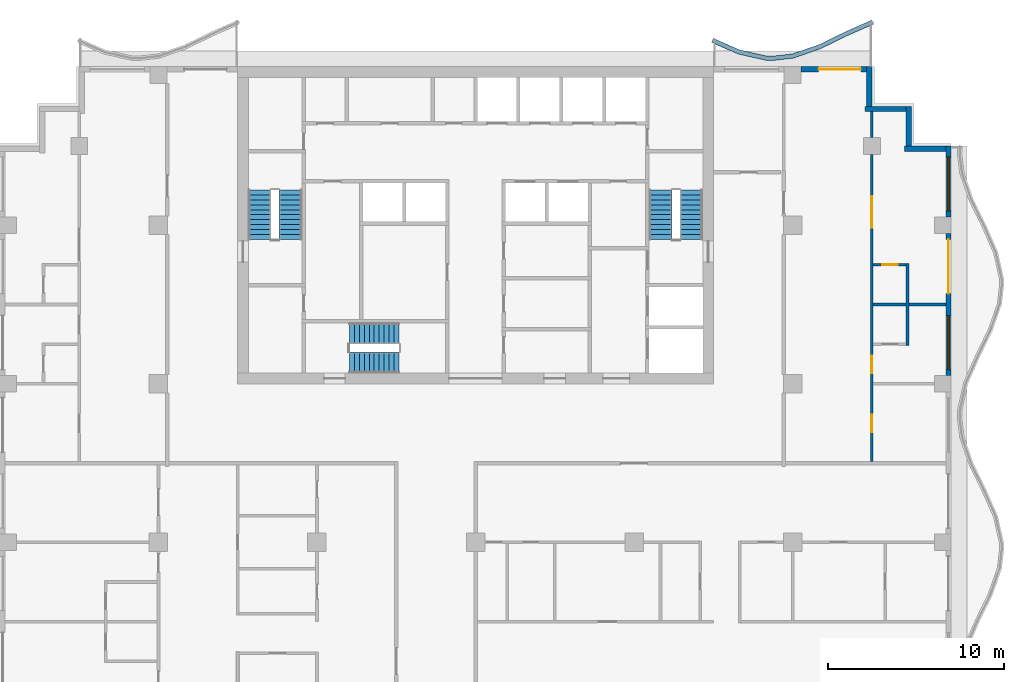
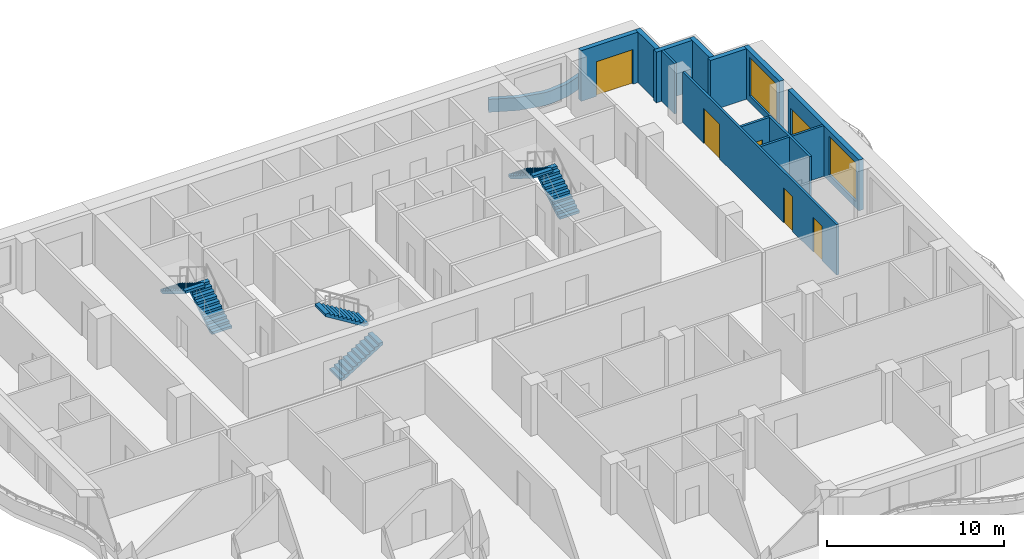
# One storey, part 7 of 11: 14 walls, 6 doors, 6 stair flights, 2 windows, 8 openings, 3 elements without a shape of their own.
"""IFC4 building model written with IfcOpenShell, lengths in metres."""

from ifc_helpers import new_model, si_unit, direction, frame, frame_2d, origin, place, context, subcontext, project, spatial, polyline, rectangle, outline, extrude, material, layer, layer_set, type_object, element, fill, aggregate, save


model = new_model("IFC4")

# Units and contexts
model_context = context("Model", 3, precision=1e-05, world=origin(), true_north=direction((0.0, 1.0)))
body_context = subcontext(model_context, "Body", "Model", "MODEL_VIEW")
ifc_project = project(units=[si_unit("LENGTHUNIT", "METRE"), si_unit("AREAUNIT", "SQUARE_METRE"), si_unit("VOLUMEUNIT", "CUBIC_METRE"), si_unit("PLANEANGLEUNIT", "RADIAN"), si_unit("MASSUNIT", "GRAM", prefix="KILO")], contexts=[model_context])

# Site, building, storey
site_placement = place(None, origin())
site = spatial("IfcSite", under=ifc_project, at=site_placement, CompositionType="ELEMENT")
building_placement = place(site_placement, origin())
building = spatial("IfcBuilding", under=site, at=building_placement, Name="Orbiselva Terraces", CompositionType="ELEMENT")
storey_placement = place(building_placement, frame((0.0, 0.0, 222.4)))
storey = spatial("IfcBuildingStorey", under=building, at=storey_placement, Name="L56", CompositionType="ELEMENT", Elevation=222.4)

# Wall
ifc_material_1 = material(Name="Concrete C40/50", Category="concrete")
ifc_layer_1 = layer(ifc_material_1, 0.25)
ifc_layer_set_1 = layer_set([ifc_layer_1], Name="Concrete C40/50")
wall_type_1 = type_object("IfcWallType", Name="ENV-PLANTER-250x900", PredefinedType="USERDEFINED", material=ifc_layer_set_1)
wall_1_placement = place(storey_placement, origin())
element("IfcWall", 1, at=wall_1_placement, inside=storey, type_object=wall_type_1, Name="Balcony planter L56 NE", ObjectType="PLANTER", PredefinedType="USERDEFINED", context=body_context, shape_type="SweptSolid", body=[
    extrude(outline(polyline([(22.5, 25.148528), (21.0, 24.487721), (19.5, 23.755211), (18.0, 23.230792), (16.875, 23.1), (16.5, 23.114774), (15.0, 23.451472), (13.5, 24.112279), (13.399212, 23.883496), (14.921492, 23.212874), (16.467435, 22.865863), (16.884572, 22.849429), (18.056371, 22.985662), (19.59644, 23.524089), (21.105286, 24.260919), (22.600788, 24.919745), (22.5, 25.148528)])), origin(), (0.0, 0.0, 1.0), 0.9),
])

# Wall, openings, door, window
ifc_material_2 = material(Name="Terracotta cladding on masonry backing", Category="masonry")
ifc_layer_2 = layer(ifc_material_2, 0.3)
ifc_layer_set_2 = layer_set([ifc_layer_2], Name="Terracotta cladding on masonry backing")
wall_type_2 = type_object("IfcWallType", Name="ENV-WALL-TERRACOTTA-300", PredefinedType="SOLIDWALL", material=ifc_layer_set_2)
wall_2_placement = place(storey_placement, frame((26.85, 13.025, 0.0), z_axis=(0.0, 0.0, 1.0), x_axis=(0.0, -1.0, 0.0)))
wall_2 = element("IfcWall", 2, at=wall_2_placement, inside=storey, type_object=wall_type_2, Name="Facade wall L56 E", PredefinedType="SOLIDWALL", context=body_context, shape_type="SweptSolid", body=[
    extrude(rectangle(XDim=8.05, YDim=0.3, at=frame_2d((4.025, 0.0))), origin(), (0.0, 0.0, 1.0), 3.5),
])
opening_1_placement = place(wall_2_placement, frame((4.65, 0.0, 0.45)))
opening_1 = element("IfcOpeningElement", 3, at=opening_1_placement, cuts=wall_2, Name="Opening WN15", PredefinedType="OPENING", context=body_context, shape_type="SweptSolid", body=[
    extrude(rectangle(XDim=3.075, YDim=2.65, at=frame_2d((1.5375, 1.325))), frame((0.0, 0.16, 0.0), z_axis=(0.0, -1.0, 0.0), x_axis=(1.0, 0.0, 0.0)), (0.0, 0.0, 1.0), 0.32),
])
opening_2_placement = place(wall_2_placement, frame((0.325, 0.0, 0.0)))
opening_2 = element("IfcOpeningElement", 4, at=opening_2_placement, cuts=wall_2, Name="Opening Z4-D-E07", PredefinedType="OPENING", context=body_context, shape_type="SweptSolid", body=[
    extrude(rectangle(XDim=3.075, YDim=2.4, at=frame_2d((1.5375, 1.2))), frame((0.0, 0.16, 0.0), z_axis=(0.0, -1.0, 0.0), x_axis=(1.0, 0.0, 0.0)), (0.0, 0.0, 1.0), 0.32),
])
ifc_material_3 = material(Name="Clear low-e glazing in aluminium frame", Category="aluminium")
door_type_1 = type_object("IfcDoorType", Name="BALCONY DOOR 3075 X 2400", OperationType="DOUBLE_DOOR_SLIDING", PredefinedType="DOOR", material=ifc_material_3)
door_1_placement = place(opening_2_placement, origin())
door_1 = element("IfcDoor", 5, at=door_1_placement, inside=storey, type_object=door_type_1, Name="Z4-D-E07", OperationType="SINGLE_SWING_LEFT", OverallHeight=2.4, OverallWidth=3.075, PredefinedType="DOOR", context=body_context, shape_type="SweptSolid", body=[
    extrude(rectangle(XDim=3.075, YDim=2.4, at=frame_2d((1.5375, 1.2))), frame((0.0, 0.025, 0.0), z_axis=(0.0, -1.0, 0.0), x_axis=(1.0, 0.0, 0.0)), (0.0, 0.0, 1.0), 0.05),
])
fill(opening_2, door_1)
window_type = type_object("IfcWindowType", Name="WINDOW 3075 X 2650 S450", PartitioningType="TRIPLE_PANEL_VERTICAL", PredefinedType="WINDOW", material=ifc_material_3)
window_1_placement = place(opening_1_placement, origin())
window_1 = element("IfcWindow", 6, at=window_1_placement, inside=storey, type_object=window_type, Name="Window L56 E", OverallHeight=2.65, OverallWidth=3.075, PartitioningType="SINGLE_PANEL", PredefinedType="WINDOW", context=body_context, shape_type="SweptSolid", body=[
    extrude(rectangle(XDim=3.075, YDim=2.65, at=frame_2d((1.5375, 1.325))), frame((0.0, 0.03, 0.0), z_axis=(0.0, -1.0, 0.0), x_axis=(1.0, 0.0, 0.0)), (0.0, 0.0, 1.0), 0.06),
])
fill(opening_1, window_1)

# Wall, opening, window
wall_3_placement = place(storey_placement, frame((26.85, 18.0, 0.0), z_axis=(0.0, 0.0, 1.0), x_axis=(0.0, -1.0, 0.0)))
wall_3 = element("IfcWall", 7, at=wall_3_placement, inside=storey, type_object=wall_type_2, Name="Facade wall L56 E", PredefinedType="SOLIDWALL", context=body_context, shape_type="SweptSolid", body=[
    extrude(rectangle(XDim=4.025, YDim=0.3, at=frame_2d((2.0125, 0.0))), origin(), (0.0, 0.0, 1.0), 3.5),
])
opening_3_placement = place(wall_3_placement, frame((0.625, 0.0, 0.45)))
opening_3 = element("IfcOpeningElement", 8, at=opening_3_placement, cuts=wall_3, Name="Opening WN15", PredefinedType="OPENING", context=body_context, shape_type="SweptSolid", body=[
    extrude(rectangle(XDim=3.075, YDim=2.65, at=frame_2d((1.5375, 1.325))), frame((0.0, 0.16, 0.0), z_axis=(0.0, -1.0, 0.0), x_axis=(1.0, 0.0, 0.0)), (0.0, 0.0, 1.0), 0.32),
])
window_2_placement = place(opening_3_placement, origin())
window_2 = element("IfcWindow", 9, at=window_2_placement, inside=storey, type_object=window_type, Name="Window L56 E", OverallHeight=2.65, OverallWidth=3.075, PartitioningType="SINGLE_PANEL", PredefinedType="WINDOW", context=body_context, shape_type="SweptSolid", body=[
    extrude(rectangle(XDim=3.075, YDim=2.65, at=frame_2d((1.5375, 1.325))), frame((0.0, 0.03, 0.0), z_axis=(0.0, -1.0, 0.0), x_axis=(1.0, 0.0, 0.0)), (0.0, 0.0, 1.0), 0.06),
])
fill(opening_3, window_2)

# Walls
wall_4_placement = place(storey_placement, frame((24.35, 17.85, 0.0), z_axis=(0.0, 0.0, 1.0), x_axis=(1.0, 0.0, 0.0)))
element("IfcWall", 10, at=wall_4_placement, inside=storey, type_object=wall_type_2, Name="Facade wall L56 STEP", PredefinedType="SOLIDWALL", context=body_context, shape_type="SweptSolid", body=[
    extrude(rectangle(XDim=2.35, YDim=0.3, at=frame_2d((1.175, 0.0))), origin(), (0.0, 0.0, 1.0), 3.5),
])
wall_5_placement = place(storey_placement, frame((24.6, 20.25, 0.0), z_axis=(0.0, 0.0, 1.0), x_axis=(0.0, -1.0, 0.0)))
element("IfcWall", 11, at=wall_5_placement, inside=storey, type_object=wall_type_2, Name="Facade wall L56 STEP", PredefinedType="SOLIDWALL", context=body_context, shape_type="SweptSolid", body=[
    extrude(rectangle(XDim=2.25, YDim=0.3, at=frame_2d((1.125, 0.0))), origin(), (0.0, 0.0, 1.0), 3.5),
])
wall_6_placement = place(storey_placement, frame((22.1, 20.1, 0.0), z_axis=(0.0, 0.0, 1.0), x_axis=(1.0, 0.0, 0.0)))
element("IfcWall", 12, at=wall_6_placement, inside=storey, type_object=wall_type_2, Name="Facade wall L56 STEP", PredefinedType="SOLIDWALL", context=body_context, shape_type="SweptSolid", body=[
    extrude(rectangle(XDim=2.35, YDim=0.3, at=frame_2d((1.175, 0.0))), origin(), (0.0, 0.0, 1.0), 3.5),
])
wall_7_placement = place(storey_placement, frame((22.35, 22.5, 0.0), z_axis=(0.0, 0.0, 1.0), x_axis=(0.0, -1.0, 0.0)))
element("IfcWall", 13, at=wall_7_placement, inside=storey, type_object=wall_type_2, Name="Facade wall L56 STEP", PredefinedType="SOLIDWALL", context=body_context, shape_type="SweptSolid", body=[
    extrude(rectangle(XDim=2.25, YDim=0.3, at=frame_2d((1.125, 0.0))), origin(), (0.0, 0.0, 1.0), 3.5),
])

# Wall, opening, door
wall_8_placement = place(storey_placement, frame((18.475, 22.35, 0.0), z_axis=(0.0, 0.0, 1.0), x_axis=(1.0, 0.0, 0.0)))
wall_8 = element("IfcWall", 14, at=wall_8_placement, inside=storey, type_object=wall_type_2, Name="Facade wall L56 NE", PredefinedType="SOLIDWALL", context=body_context, shape_type="SweptSolid", body=[
    extrude(rectangle(XDim=3.725, YDim=0.3, at=frame_2d((1.8625, 0.0))), origin(), (0.0, 0.0, 1.0), 3.5),
])
opening_4_placement = place(wall_8_placement, frame((1.0, 0.0, 0.0)))
opening_4 = element("IfcOpeningElement", 15, at=opening_4_placement, cuts=wall_8, Name="Opening Z4-D-E15", PredefinedType="OPENING", context=body_context, shape_type="SweptSolid", body=[
    extrude(rectangle(XDim=2.4, YDim=2.4, at=frame_2d((1.2, 1.2))), frame((0.0, 0.16, 0.0), z_axis=(0.0, -1.0, 0.0), x_axis=(1.0, 0.0, 0.0)), (0.0, 0.0, 1.0), 0.32),
])
door_type_2 = type_object("IfcDoorType", Name="BALCONY DOOR 2400 X 2400", OperationType="DOUBLE_DOOR_SLIDING", PredefinedType="DOOR", material=ifc_material_3)
door_2_placement = place(opening_4_placement, origin())
door_2 = element("IfcDoor", 16, at=door_2_placement, inside=storey, type_object=door_type_2, Name="Z4-D-E15", OperationType="SINGLE_SWING_LEFT", OverallHeight=2.4, OverallWidth=2.4, PredefinedType="DOOR", context=body_context, shape_type="SweptSolid", body=[
    extrude(rectangle(XDim=2.4, YDim=2.4, at=frame_2d((1.2, 1.2))), frame((0.0, 0.025, 0.0), z_axis=(0.0, -1.0, 0.0), x_axis=(1.0, 0.0, 0.0)), (0.0, 0.0, 1.0), 0.05),
])
fill(opening_4, door_2)

# Walls
ifc_material_4 = material(Name="Plasterboard on steel stud partition", Category="steel")
ifc_layer_3 = layer(ifc_material_4, 0.15)
ifc_layer_set_3 = layer_set([ifc_layer_3], Name="Plasterboard on steel stud partition")
wall_type_3 = type_object("IfcWallType", Name="UNIT-PARTITION-150", PredefinedType="PARTITIONING", material=ifc_layer_set_3)
wall_9_placement = place(storey_placement, frame((22.575, 9.0, 0.0), z_axis=(0.0, 0.0, 1.0), x_axis=(1.0, 0.0, 0.0)))
element("IfcWall", 17, at=wall_9_placement, inside=storey, type_object=wall_type_3, Name="PARTITION L56-036", PredefinedType="PARTITIONING", context=body_context, shape_type="SweptSolid", body=[
    extrude(rectangle(XDim=1.875, YDim=0.15, at=frame_2d((0.9375, 0.0))), origin(), (0.0, 0.0, 1.0), 3.5),
])
wall_10_placement = place(storey_placement, frame((24.6, 9.0, 0.0), z_axis=(0.0, 0.0, 1.0), x_axis=(1.0, 0.0, 0.0)))
element("IfcWall", 18, at=wall_10_placement, inside=storey, type_object=wall_type_3, Name="PARTITION L56-037", PredefinedType="PARTITIONING", context=body_context, shape_type="SweptSolid", body=[
    extrude(rectangle(XDim=2.1, YDim=0.15, at=frame_2d((1.05, 0.0))), origin(), (0.0, 0.0, 1.0), 3.5),
])

# Wall, opening, door
wall_11_placement = place(storey_placement, frame((24.45, 11.25, 0.0), z_axis=(0.0, 0.0, 1.0), x_axis=(-1.0, 0.0, 0.0)))
wall_11 = element("IfcWall", 19, at=wall_11_placement, inside=storey, type_object=wall_type_3, Name="PARTITION L56-039", PredefinedType="PARTITIONING", context=body_context, shape_type="SweptSolid", body=[
    extrude(rectangle(XDim=1.875, YDim=0.15, at=frame_2d((0.9375, 0.0))), origin(), (0.0, 0.0, 1.0), 3.5),
])
opening_5_placement = place(wall_11_placement, frame((0.475, 0.0, 0.0)))
opening_5 = element("IfcOpeningElement", 20, at=opening_5_placement, cuts=wall_11, Name="Opening Z4-D-13", PredefinedType="OPENING", context=body_context, shape_type="SweptSolid", body=[
    extrude(rectangle(XDim=0.9, YDim=2.1, at=frame_2d((0.45, 1.05))), frame((0.0, 0.085, 0.0), z_axis=(0.0, -1.0, 0.0), x_axis=(1.0, 0.0, 0.0)), (0.0, 0.0, 1.0), 0.17),
])
ifc_material_5 = material(Name="Painted timber door leaf", Category="wood")
door_type_3 = type_object("IfcDoorType", Name="BATH DOOR 900", OperationType="NOTDEFINED", PredefinedType="DOOR", material=ifc_material_5)
door_3_placement = place(opening_5_placement, origin())
door_3 = element("IfcDoor", 21, at=door_3_placement, inside=storey, type_object=door_type_3, Name="Z4-D-13", OperationType="SINGLE_SWING_LEFT", OverallHeight=2.1, OverallWidth=0.9, PredefinedType="DOOR", context=body_context, shape_type="SweptSolid", body=[
    extrude(rectangle(XDim=0.9, YDim=2.1, at=frame_2d((0.45, 1.05))), frame((0.0, 0.025, 0.0), z_axis=(0.0, -1.0, 0.0), x_axis=(1.0, 0.0, 0.0)), (0.0, 0.0, 1.0), 0.05),
])
fill(opening_5, door_3)

# Wall, openings, doors
wall_12_placement = place(storey_placement, frame((22.5, 17.525, 0.0), z_axis=(0.0, 0.0, 1.0), x_axis=(0.0, -1.0, 0.0)))
wall_12 = element("IfcWall", 22, at=wall_12_placement, inside=storey, type_object=wall_type_3, Name="PARTITION L56-079", PredefinedType="PARTITIONING", context=body_context, shape_type="SweptSolid", body=[
    extrude(rectangle(XDim=17.425, YDim=0.15, at=frame_2d((8.7125, 0.0))), origin(), (0.0, 0.0, 1.0), 3.5),
])
opening_6_placement = place(wall_12_placement, frame((14.775, 0.0, 0.0)))
opening_6 = element("IfcOpeningElement", 23, at=opening_6_placement, cuts=wall_12, Name="Opening Z4-D-09", PredefinedType="OPENING", context=body_context, shape_type="SweptSolid", body=[
    extrude(rectangle(XDim=1.0, YDim=2.4, at=frame_2d((0.5, 1.2))), frame((0.0, 0.085, 0.0), z_axis=(0.0, -1.0, 0.0), x_axis=(1.0, 0.0, 0.0)), (0.0, 0.0, 1.0), 0.17),
])
opening_7_placement = place(wall_12_placement, frame((11.425, 0.0, 0.0)))
opening_7 = element("IfcOpeningElement", 24, at=opening_7_placement, cuts=wall_12, Name="Opening Z4-D-10", PredefinedType="OPENING", context=body_context, shape_type="SweptSolid", body=[
    extrude(rectangle(XDim=1.0, YDim=2.4, at=frame_2d((0.5, 1.2))), frame((0.0, 0.085, 0.0), z_axis=(0.0, -1.0, 0.0), x_axis=(1.0, 0.0, 0.0)), (0.0, 0.0, 1.0), 0.17),
])
opening_8_placement = place(wall_12_placement, frame((2.375, 0.0, 0.0)))
opening_8 = element("IfcOpeningElement", 25, at=opening_8_placement, cuts=wall_12, Name="Opening Z4-D-12", PredefinedType="OPENING", context=body_context, shape_type="SweptSolid", body=[
    extrude(rectangle(XDim=1.8, YDim=2.4, at=frame_2d((0.9, 1.2))), frame((0.0, 0.085, 0.0), z_axis=(0.0, -1.0, 0.0), x_axis=(1.0, 0.0, 0.0)), (0.0, 0.0, 1.0), 0.17),
])
door_type_4 = type_object("IfcDoorType", Name="DOUBLE DOOR 1800", OperationType="NOTDEFINED", PredefinedType="DOOR", material=ifc_material_5)
door_4_placement = place(opening_8_placement, origin())
door_4 = element("IfcDoor", 26, at=door_4_placement, inside=storey, type_object=door_type_4, Name="Z4-D-12", OperationType="DOUBLE_DOOR_SINGLE_SWING", OverallHeight=2.4, OverallWidth=1.8, PredefinedType="DOOR", context=body_context, shape_type="SweptSolid", body=[
    extrude(rectangle(XDim=1.8, YDim=2.4, at=frame_2d((0.9, 1.2))), frame((0.0, 0.025, 0.0), z_axis=(0.0, -1.0, 0.0), x_axis=(1.0, 0.0, 0.0)), (0.0, 0.0, 1.0), 0.05),
])
fill(opening_8, door_4)
door_type_5 = type_object("IfcDoorType", Name="ROOM DOOR 1000", OperationType="NOTDEFINED", PredefinedType="DOOR", material=ifc_material_5)
door_5_placement = place(opening_6_placement, origin())
door_5 = element("IfcDoor", 27, at=door_5_placement, inside=storey, type_object=door_type_5, Name="Z4-D-09", OperationType="SINGLE_SWING_RIGHT", OverallHeight=2.4, OverallWidth=1.0, PredefinedType="DOOR", context=body_context, shape_type="SweptSolid", body=[
    extrude(rectangle(XDim=1.0, YDim=2.4, at=frame_2d((0.5, 1.2))), frame((0.0, 0.025, 0.0), z_axis=(0.0, -1.0, 0.0), x_axis=(1.0, 0.0, 0.0)), (0.0, 0.0, 1.0), 0.05),
])
fill(opening_6, door_5)
door_6_placement = place(opening_7_placement, origin())
door_6 = element("IfcDoor", 28, at=door_6_placement, inside=storey, type_object=door_type_5, Name="Z4-D-10", OperationType="SINGLE_SWING_RIGHT", OverallHeight=2.4, OverallWidth=1.0, PredefinedType="DOOR", context=body_context, shape_type="SweptSolid", body=[
    extrude(rectangle(XDim=1.0, YDim=2.4, at=frame_2d((0.5, 1.2))), frame((0.0, 0.025, 0.0), z_axis=(0.0, -1.0, 0.0), x_axis=(1.0, 0.0, 0.0)), (0.0, 0.0, 1.0), 0.05),
])
fill(opening_7, door_6)

# Walls
wall_13_placement = place(storey_placement, frame((22.5, 18.475, 0.0), z_axis=(0.0, 0.0, 1.0), x_axis=(0.0, 1.0, 0.0)))
element("IfcWall", 29, at=wall_13_placement, inside=storey, type_object=wall_type_3, Name="PARTITION L56-080", PredefinedType="PARTITIONING", context=body_context, shape_type="SweptSolid", body=[
    extrude(rectangle(XDim=1.475, YDim=0.15, at=frame_2d((0.7375, 0.0))), origin(), (0.0, 0.0, 1.0), 3.5),
])
wall_14_placement = place(storey_placement, frame((24.525, 6.675, 0.0), z_axis=(0.0, 0.0, 1.0), x_axis=(0.0, 1.0, 0.0)))
element("IfcWall", 30, at=wall_14_placement, inside=storey, type_object=wall_type_3, Name="PARTITION L56-082", PredefinedType="PARTITIONING", context=body_context, shape_type="SweptSolid", body=[
    extrude(rectangle(XDim=4.65, YDim=0.15, at=frame_2d((2.325, 0.0))), origin(), (0.0, 0.0, 1.0), 3.5),
])

# Stair, stair flights
stair_type_1 = type_object("IfcStairType", Name="CORE-STAIR-1200", PredefinedType="HALF_TURN_STAIR", material=ifc_material_1)
stair_1_placement = place(storey_placement, origin())
stair_1 = element("IfcStair", 31, at=stair_1_placement, inside=storey, type_object=stair_type_1, Name="L56 Exit Stair S3", PredefinedType="HALF_TURN_STAIR")
stair_flight_type_1 = type_object("IfcStairFlightType", Name="CORE-STAIR-FLIGHT-1200", PredefinedType="STRAIGHT", material=ifc_material_1)
stair_flight_1_placement = place(storey_placement, frame((-7.15, 5.7, 0.0), z_axis=(0.0, 0.0, 1.0), x_axis=(1.0, 0.0, 0.0)))
stair_flight_1 = element("IfcStairFlight", 32, at=stair_flight_1_placement, type_object=stair_flight_type_1, Name="S3 flight 1", NumberOfRisers=11, NumberOfTreads=10, PredefinedType="STRAIGHT", RiserHeight=0.172727273, TreadLength=0.28, context=body_context, shape_type="SweptSolid", body=[
    extrude(outline(polyline([(0.0, 0.0), (0.0, 0.172727), (0.28, 0.172727), (0.28, 0.345455), (0.56, 0.345455), (0.56, 0.518182), (0.84, 0.518182), (0.84, 0.690909), (1.12, 0.690909), (1.12, 0.863636), (1.4, 0.863636), (1.4, 1.036364), (1.68, 1.036364), (1.68, 1.209091), (1.96, 1.209091), (1.96, 1.381818), (2.24, 1.381818), (2.24, 1.554545), (2.52, 1.554545), (2.52, 1.727273), (2.8, 1.727273), (2.8, 1.9), (2.8, 1.551028), (0.285702, 0.0), (0.0, 0.0)])), frame((0.0, 0.6, 0.0), z_axis=(0.0, -1.0, 0.0), x_axis=(1.0, 0.0, 0.0)), (0.0, 0.0, 1.0), 1.2),
])
stair_flight_2_placement = place(storey_placement, frame((-4.35, 7.35, 1.9), z_axis=(0.0, 0.0, 1.0), x_axis=(-1.0, 0.0, 0.0)))
stair_flight_2 = element("IfcStairFlight", 33, at=stair_flight_2_placement, type_object=stair_flight_type_1, Name="S3 flight 2", NumberOfRisers=11, NumberOfTreads=10, PredefinedType="STRAIGHT", RiserHeight=0.172727273, TreadLength=0.28, context=body_context, shape_type="SweptSolid", body=[
    extrude(outline(polyline([(0.0, 0.0), (0.0, 0.172727), (0.28, 0.172727), (0.28, 0.345455), (0.56, 0.345455), (0.56, 0.518182), (0.84, 0.518182), (0.84, 0.690909), (1.12, 0.690909), (1.12, 0.863636), (1.4, 0.863636), (1.4, 1.036364), (1.68, 1.036364), (1.68, 1.209091), (1.96, 1.209091), (1.96, 1.381818), (2.24, 1.381818), (2.24, 1.554545), (2.52, 1.554545), (2.52, 1.727273), (2.8, 1.727273), (2.8, 1.9), (2.8, 1.551028), (0.285702, 0.0), (0.0, 0.0)])), frame((0.0, 0.6, 0.0), z_axis=(0.0, -1.0, 0.0), x_axis=(1.0, 0.0, 0.0)), (0.0, 0.0, 1.0), 1.2),
])
aggregate(stair_1, [stair_flight_1, stair_flight_2])

stair_type_2 = type_object("IfcStairType", Name="CORE-STAIR-1300", PredefinedType="HALF_TURN_STAIR", material=ifc_material_1)
stair_2_placement = place(storey_placement, origin())
stair_2 = element("IfcStair", 34, at=stair_2_placement, inside=storey, type_object=stair_type_2, Name="L56 Exit Stair S1", PredefinedType="HALF_TURN_STAIR")
stair_flight_type_2 = type_object("IfcStairFlightType", Name="CORE-STAIR-FLIGHT-1300", PredefinedType="STRAIGHT", material=ifc_material_1)
stair_flight_3_placement = place(storey_placement, frame((-10.5, 12.7, 0.0), z_axis=(0.0, 0.0, 1.0), x_axis=(0.0, 1.0, 0.0)))
stair_flight_3 = element("IfcStairFlight", 35, at=stair_flight_3_placement, type_object=stair_flight_type_2, Name="S1 flight 1", NumberOfRisers=11, NumberOfTreads=10, PredefinedType="STRAIGHT", RiserHeight=0.172727273, TreadLength=0.28, context=body_context, shape_type="SweptSolid", body=[
    extrude(outline(polyline([(0.0, 0.0), (0.0, 0.172727), (0.28, 0.172727), (0.28, 0.345455), (0.56, 0.345455), (0.56, 0.518182), (0.84, 0.518182), (0.84, 0.690909), (1.12, 0.690909), (1.12, 0.863636), (1.4, 0.863636), (1.4, 1.036364), (1.68, 1.036364), (1.68, 1.209091), (1.96, 1.209091), (1.96, 1.381818), (2.24, 1.381818), (2.24, 1.554545), (2.52, 1.554545), (2.52, 1.727273), (2.8, 1.727273), (2.8, 1.9), (2.8, 1.551028), (0.285702, 0.0), (0.0, 0.0)])), frame((0.0, 0.65, 0.0), z_axis=(0.0, -1.0, 0.0), x_axis=(1.0, 0.0, 0.0)), (0.0, 0.0, 1.0), 1.3),
])
stair_flight_4_placement = place(storey_placement, frame((-12.25, 15.5, 1.9), z_axis=(0.0, 0.0, 1.0), x_axis=(0.0, -1.0, 0.0)))
stair_flight_4 = element("IfcStairFlight", 36, at=stair_flight_4_placement, type_object=stair_flight_type_2, Name="S1 flight 2", NumberOfRisers=11, NumberOfTreads=10, PredefinedType="STRAIGHT", RiserHeight=0.172727273, TreadLength=0.28, context=body_context, shape_type="SweptSolid", body=[
    extrude(outline(polyline([(0.0, 0.0), (0.0, 0.172727), (0.28, 0.172727), (0.28, 0.345455), (0.56, 0.345455), (0.56, 0.518182), (0.84, 0.518182), (0.84, 0.690909), (1.12, 0.690909), (1.12, 0.863636), (1.4, 0.863636), (1.4, 1.036364), (1.68, 1.036364), (1.68, 1.209091), (1.96, 1.209091), (1.96, 1.381818), (2.24, 1.381818), (2.24, 1.554545), (2.52, 1.554545), (2.52, 1.727273), (2.8, 1.727273), (2.8, 1.9), (2.8, 1.551028), (0.285702, 0.0), (0.0, 0.0)])), frame((0.0, 0.65, 0.0), z_axis=(0.0, -1.0, 0.0), x_axis=(1.0, 0.0, 0.0)), (0.0, 0.0, 1.0), 1.3),
])
aggregate(stair_2, [stair_flight_3, stair_flight_4])

stair_3_placement = place(storey_placement, origin())
stair_3 = element("IfcStair", 37, at=stair_3_placement, inside=storey, type_object=stair_type_2, Name="L56 Exit Stair S2", PredefinedType="HALF_TURN_STAIR")
stair_flight_5_placement = place(storey_placement, frame((12.25, 12.7, 0.0), z_axis=(0.0, 0.0, 1.0), x_axis=(0.0, 1.0, 0.0)))
stair_flight_5 = element("IfcStairFlight", 38, at=stair_flight_5_placement, type_object=stair_flight_type_2, Name="S2 flight 1", NumberOfRisers=11, NumberOfTreads=10, PredefinedType="STRAIGHT", RiserHeight=0.172727273, TreadLength=0.28, context=body_context, shape_type="SweptSolid", body=[
    extrude(outline(polyline([(0.0, 0.0), (0.0, 0.172727), (0.28, 0.172727), (0.28, 0.345455), (0.56, 0.345455), (0.56, 0.518182), (0.84, 0.518182), (0.84, 0.690909), (1.12, 0.690909), (1.12, 0.863636), (1.4, 0.863636), (1.4, 1.036364), (1.68, 1.036364), (1.68, 1.209091), (1.96, 1.209091), (1.96, 1.381818), (2.24, 1.381818), (2.24, 1.554545), (2.52, 1.554545), (2.52, 1.727273), (2.8, 1.727273), (2.8, 1.9), (2.8, 1.551028), (0.285702, 0.0), (0.0, 0.0)])), frame((0.0, 0.65, 0.0), z_axis=(0.0, -1.0, 0.0), x_axis=(1.0, 0.0, 0.0)), (0.0, 0.0, 1.0), 1.3),
])
stair_flight_6_placement = place(storey_placement, frame((10.5, 15.5, 1.9), z_axis=(0.0, 0.0, 1.0), x_axis=(0.0, -1.0, 0.0)))
stair_flight_6 = element("IfcStairFlight", 39, at=stair_flight_6_placement, type_object=stair_flight_type_2, Name="S2 flight 2", NumberOfRisers=11, NumberOfTreads=10, PredefinedType="STRAIGHT", RiserHeight=0.172727273, TreadLength=0.28, context=body_context, shape_type="SweptSolid", body=[
    extrude(outline(polyline([(0.0, 0.0), (0.0, 0.172727), (0.28, 0.172727), (0.28, 0.345455), (0.56, 0.345455), (0.56, 0.518182), (0.84, 0.518182), (0.84, 0.690909), (1.12, 0.690909), (1.12, 0.863636), (1.4, 0.863636), (1.4, 1.036364), (1.68, 1.036364), (1.68, 1.209091), (1.96, 1.209091), (1.96, 1.381818), (2.24, 1.381818), (2.24, 1.554545), (2.52, 1.554545), (2.52, 1.727273), (2.8, 1.727273), (2.8, 1.9), (2.8, 1.551028), (0.285702, 0.0), (0.0, 0.0)])), frame((0.0, 0.65, 0.0), z_axis=(0.0, -1.0, 0.0), x_axis=(1.0, 0.0, 0.0)), (0.0, 0.0, 1.0), 1.3),
])
aggregate(stair_3, [stair_flight_5, stair_flight_6])

save(model, "model.ifc")
